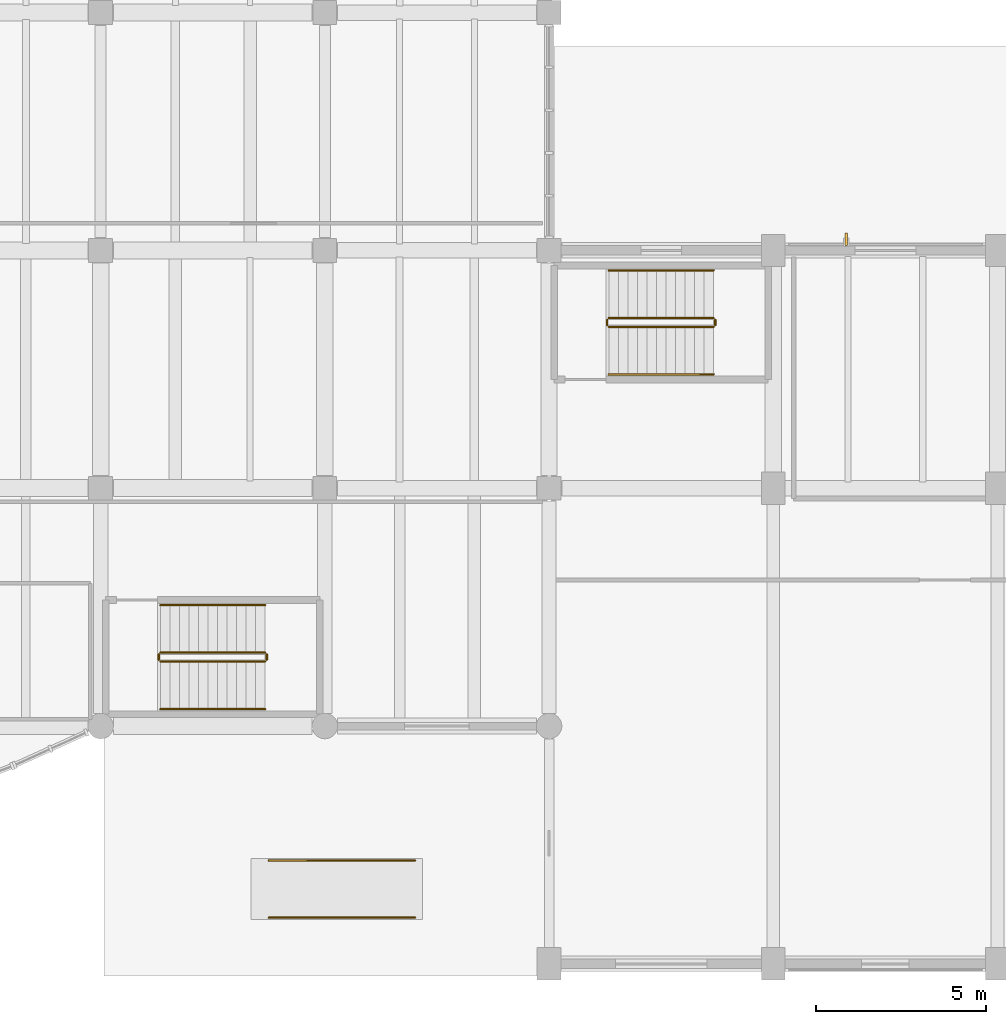
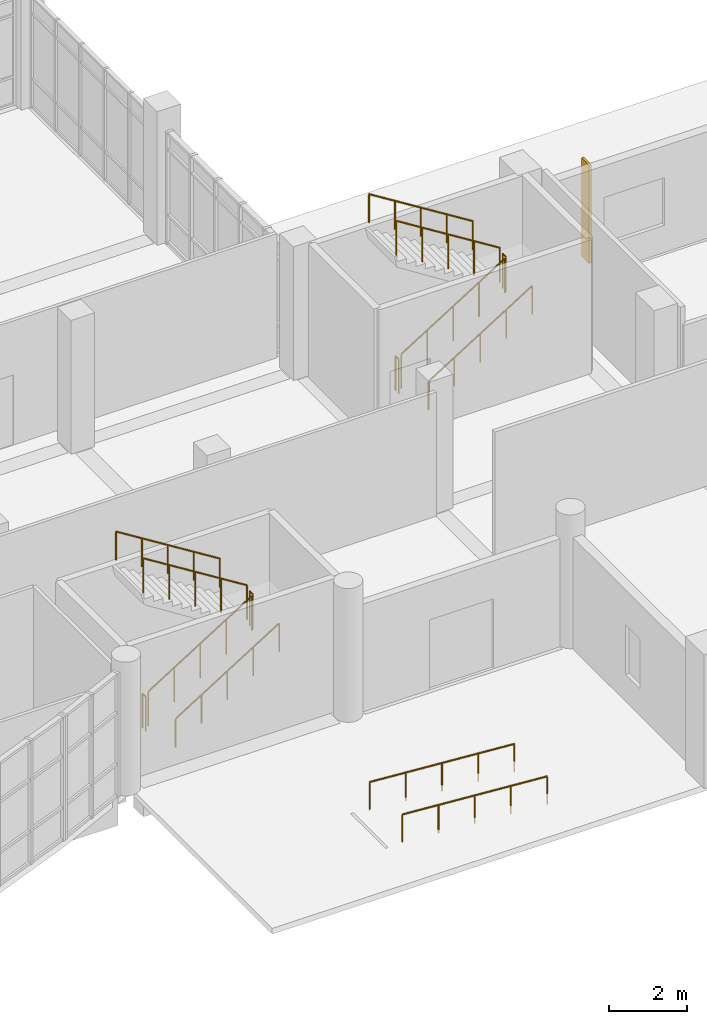
# One storey, part 62 of 69: 14 railings, 1 shading device.
"""IFC4 building model written with IfcOpenShell, lengths in metres."""

from ifc_helpers import new_model, si_unit, direction, frame, origin, origin_2d, place, context, subcontext, project, spatial, rectangle, circle, extrude, material, material_profile, profile_set, type_object, element, save


model = new_model("IFC4")

# Units and contexts
model_context = context("Model", 3, precision=1e-05, world=origin(), true_north=direction((0.0, 1.0)))
body_context = subcontext(model_context, "Body", "Model", "MODEL_VIEW")
ifc_project = project(units=[si_unit("LENGTHUNIT", "METRE"), si_unit("AREAUNIT", "SQUARE_METRE"), si_unit("VOLUMEUNIT", "CUBIC_METRE"), si_unit("PLANEANGLEUNIT", "RADIAN"), si_unit("MASSUNIT", "GRAM", prefix="KILO")], contexts=[model_context])

# Site, building, storey
site_placement = place(None, origin())
site = spatial("IfcSite", under=ifc_project, at=site_placement, CompositionType="ELEMENT")
building_placement = place(site_placement, origin())
building = spatial("IfcBuilding", under=site, at=building_placement, Name="Ciguamira Faculty of Natural Sciences", CompositionType="ELEMENT")
storey_placement = place(building_placement, origin())
storey = spatial("IfcBuildingStorey", under=building, at=storey_placement, Name="L00", CompositionType="ELEMENT", Elevation=0.0)

# Railings
ifc_material_1 = material(Name="Stainless steel balustrade", Category="steel")
railing_type_1 = type_object("IfcRailingType", Name="Guardrail_GR01", PredefinedType="GUARDRAIL", material=ifc_material_1)
railing_1_placement = place(storey_placement, frame((111.860107421875, 11.89990234375, 0.175048828125)))
element("IfcRailing", 1, at=railing_1_placement, inside=storey, type_object=railing_type_1, Name="L00 ST-A2 stair guard 1", PredefinedType="GUARDRAIL", context=body_context, shape_type="SweptSolid", body=[
    extrude(circle(Radius=0.02392578125, at=origin_2d()), frame((0.0, 0.0, 1.076171875), z_axis=(0.847979421464, 0.0, 0.530029150871), x_axis=(0.0, 1.0, 0.0)), (0.0, 0.0, 1.0), 3.632080078125),
    extrude(circle(Radius=0.02099609375, at=origin_2d()), origin(), (0.0, 0.0, 1.0), 1.052001953125),
    extrude(circle(Radius=0.02099609375, at=origin_2d()), frame((0.77001953125, 0.0, 0.481201171875)), (0.0, 0.0, 1.0), 1.052001953125),
    extrude(circle(Radius=0.02099609375, at=origin_2d()), frame((1.5400390625, 0.0, 0.96240234375)), (0.0, 0.0, 1.0), 1.052001953125),
    extrude(circle(Radius=0.02099609375, at=origin_2d()), frame((2.309814453125, 0.0, 1.44384765625)), (0.0, 0.0, 1.0), 1.052001953125),
    extrude(circle(Radius=0.02099609375, at=origin_2d()), frame((3.079833984375, 0.0, 1.925048828125)), (0.0, 0.0, 1.0), 1.052001953125),
])
railing_2_placement = place(storey_placement, frame((114.989990234375, 11.949951171875, 2.10009765625)))
element("IfcRailing", 2, at=railing_2_placement, inside=storey, type_object=railing_type_1, Name="L00 ST-A2 stair guard 2", PredefinedType="GUARDRAIL", context=body_context, shape_type="SweptSolid", body=[
    extrude(circle(Radius=0.02392578125, at=origin_2d()), frame((0.0, 0.0, 1.076171875), z_axis=(0.0, 1.0, 0.0), x_axis=(-1.0, 0.0, 0.0)), (0.0, 0.0, 1.0), 0.16015625),
    extrude(circle(Radius=0.02099609375, at=origin_2d()), origin(), (0.0, 0.0, 1.0), 1.052001953125),
    extrude(circle(Radius=0.02099609375, at=origin_2d()), frame((0.0, 0.16015625, 0.0)), (0.0, 0.0, 1.0), 1.052001953125),
])
railing_3_placement = place(storey_placement, frame((114.93994140625, 12.159912109375, 2.27490234375)))
element("IfcRailing", 3, at=railing_3_placement, inside=storey, type_object=railing_type_1, Name="L00 ST-A2 stair guard 3", PredefinedType="GUARDRAIL", context=body_context, shape_type="SweptSolid", body=[
    extrude(circle(Radius=0.02392578125, at=origin_2d()), frame((0.0, 0.0, 1.076171875), z_axis=(-0.847979421464, 0.0, 0.530029150871), x_axis=(0.0, -1.0, 0.0)), (0.0, 0.0, 1.0), 3.632080078125),
    extrude(circle(Radius=0.02099609375, at=origin_2d()), origin(), (0.0, 0.0, 1.0), 1.052001953125),
    extrude(circle(Radius=0.02099609375, at=origin_2d()), frame((-0.77001953125, 0.0, 0.481201171875)), (0.0, 0.0, 1.0), 1.052001953125),
    extrude(circle(Radius=0.02099609375, at=origin_2d()), frame((-1.5400390625, 0.0, 0.96240234375)), (0.0, 0.0, 1.0), 1.052001953125),
    extrude(circle(Radius=0.02099609375, at=origin_2d()), frame((-2.309814453125, 0.0, 1.44384765625)), (0.0, 0.0, 1.0), 1.052001953125),
    extrude(circle(Radius=0.02099609375, at=origin_2d()), frame((-3.079833984375, 0.0, 1.925048828125)), (0.0, 0.0, 1.0), 1.052001953125),
])
railing_4_placement = place(storey_placement, frame((111.81005859375, 11.949951171875, 0.0)))
element("IfcRailing", 4, at=railing_4_placement, inside=storey, type_object=railing_type_1, Name="L00 ST-A2 stair guard 4", PredefinedType="GUARDRAIL", context=body_context, shape_type="SweptSolid", body=[
    extrude(circle(Radius=0.02392578125, at=origin_2d()), frame((0.0, 0.0, 1.076171875), z_axis=(0.0, 1.0, 0.0), x_axis=(-1.0, 0.0, 0.0)), (0.0, 0.0, 1.0), 0.16015625),
    extrude(circle(Radius=0.02099609375, at=origin_2d()), origin(), (0.0, 0.0, 1.0), 1.052001953125),
    extrude(circle(Radius=0.02099609375, at=origin_2d()), frame((0.0, 0.16015625, 0.0)), (0.0, 0.0, 1.0), 1.052001953125),
])
railing_5_placement = place(storey_placement, frame((125.06005859375, 21.75, 0.175048828125)))
element("IfcRailing", 5, at=railing_5_placement, inside=storey, type_object=railing_type_1, Name="L00 ST-L1 stair guard 1", PredefinedType="GUARDRAIL", context=body_context, shape_type="SweptSolid", body=[
    extrude(circle(Radius=0.02392578125, at=origin_2d()), frame((0.0, 0.0, 1.076171875), z_axis=(0.847979421464, 0.0, 0.530029150871), x_axis=(0.0, 1.0, 0.0)), (0.0, 0.0, 1.0), 3.632080078125),
    extrude(circle(Radius=0.02099609375, at=origin_2d()), origin(), (0.0, 0.0, 1.0), 1.052001953125),
    extrude(circle(Radius=0.02099609375, at=origin_2d()), frame((0.77001953125, 0.0, 0.481201171875)), (0.0, 0.0, 1.0), 1.052001953125),
    extrude(circle(Radius=0.02099609375, at=origin_2d()), frame((1.5400390625, 0.0, 0.96240234375)), (0.0, 0.0, 1.0), 1.052001953125),
    extrude(circle(Radius=0.02099609375, at=origin_2d()), frame((2.309814453125, 0.0, 1.44384765625)), (0.0, 0.0, 1.0), 1.052001953125),
    extrude(circle(Radius=0.02099609375, at=origin_2d()), frame((3.079833984375, 0.0, 1.925048828125)), (0.0, 0.0, 1.0), 1.052001953125),
])
railing_6_placement = place(storey_placement, frame((128.18994140625, 21.800048828125, 2.10009765625)))
element("IfcRailing", 6, at=railing_6_placement, inside=storey, type_object=railing_type_1, Name="L00 ST-L1 stair guard 2", PredefinedType="GUARDRAIL", context=body_context, shape_type="SweptSolid", body=[
    extrude(circle(Radius=0.02392578125, at=origin_2d()), frame((0.0, 0.0, 1.076171875), z_axis=(0.0, 1.0, 0.0), x_axis=(-1.0, 0.0, 0.0)), (0.0, 0.0, 1.0), 0.159912109375),
    extrude(circle(Radius=0.02099609375, at=origin_2d()), origin(), (0.0, 0.0, 1.0), 1.052001953125),
    extrude(circle(Radius=0.02099609375, at=origin_2d()), frame((0.0, 0.159912109375, 0.0)), (0.0, 0.0, 1.0), 1.052001953125),
])
railing_7_placement = place(storey_placement, frame((128.139892578125, 22.010009765625, 2.27490234375)))
element("IfcRailing", 7, at=railing_7_placement, inside=storey, type_object=railing_type_1, Name="L00 ST-L1 stair guard 3", PredefinedType="GUARDRAIL", context=body_context, shape_type="SweptSolid", body=[
    extrude(circle(Radius=0.02392578125, at=origin_2d()), frame((0.0, 0.0, 1.076171875), z_axis=(-0.847979421464, 0.0, 0.530029150871), x_axis=(0.0, -1.0, 0.0)), (0.0, 0.0, 1.0), 3.632080078125),
    extrude(circle(Radius=0.02099609375, at=origin_2d()), origin(), (0.0, 0.0, 1.0), 1.052001953125),
    extrude(circle(Radius=0.02099609375, at=origin_2d()), frame((-0.77001953125, 0.0, 0.481201171875)), (0.0, 0.0, 1.0), 1.052001953125),
    extrude(circle(Radius=0.02099609375, at=origin_2d()), frame((-1.5400390625, 0.0, 0.96240234375)), (0.0, 0.0, 1.0), 1.052001953125),
    extrude(circle(Radius=0.02099609375, at=origin_2d()), frame((-2.309814453125, 0.0, 1.44384765625)), (0.0, 0.0, 1.0), 1.052001953125),
    extrude(circle(Radius=0.02099609375, at=origin_2d()), frame((-3.079833984375, 0.0, 1.925048828125)), (0.0, 0.0, 1.0), 1.052001953125),
])
railing_8_placement = place(storey_placement, frame((125.010009765625, 21.800048828125, 0.0)))
element("IfcRailing", 8, at=railing_8_placement, inside=storey, type_object=railing_type_1, Name="L00 ST-L1 stair guard 4", PredefinedType="GUARDRAIL", context=body_context, shape_type="SweptSolid", body=[
    extrude(circle(Radius=0.02392578125, at=origin_2d()), frame((0.0, 0.0, 1.076171875), z_axis=(0.0, 1.0, 0.0), x_axis=(-1.0, 0.0, 0.0)), (0.0, 0.0, 1.0), 0.159912109375),
    extrude(circle(Radius=0.02099609375, at=origin_2d()), origin(), (0.0, 0.0, 1.0), 1.052001953125),
    extrude(circle(Radius=0.02099609375, at=origin_2d()), frame((0.0, 0.159912109375, 0.0)), (0.0, 0.0, 1.0), 1.052001953125),
])
ifc_material_2 = material(Name="Stainless steel handrail", Category="steel")
railing_type_2 = type_object("IfcRailingType", Name="Handrail_HR01", PredefinedType="HANDRAIL", material=ifc_material_2)
for number, where, name in (
    (9, (119.35009765625, 6.0400390625, -0.340087890625), "South Forecourt Accessible Ramp East handrail 1"),
    (10, (119.35009765625, 4.360107421875, -0.340087890625), "South Forecourt Accessible Ramp East handrail 2"),
):
    element("IfcRailing", number, at=place(storey_placement, frame(where)), inside=storey, type_object=railing_type_2, Name=name, PredefinedType="HANDRAIL", context=body_context, shape_type="SweptSolid", body=[
        extrude(circle(Radius=0.02392578125, at=origin_2d()), frame((0.0, 0.0, 0.8759765625), z_axis=(-0.997442864568, 0.0, 0.071468398063), x_axis=(0.0, -1.0, 0.0)), (0.0, 0.0, 1.0), 4.31103515625),
        extrude(circle(Radius=0.02099609375, at=origin_2d()), origin(), (0.0, 0.0, 1.0), 0.851806640625),
        extrude(circle(Radius=0.02099609375, at=origin_2d()), frame((-1.074951171875, 0.0, 0.0771484375)), (0.0, 0.0, 1.0), 0.851806640625),
        extrude(circle(Radius=0.02099609375, at=origin_2d()), frame((-2.14990234375, 0.0, 0.154052734375)), (0.0, 0.0, 1.0), 0.851806640625),
        extrude(circle(Radius=0.02099609375, at=origin_2d()), frame((-3.22509765625, 0.0, 0.23095703125)), (0.0, 0.0, 1.0), 0.851806640625),
        extrude(circle(Radius=0.02099609375, at=origin_2d()), frame((-4.300048828125, 0.0, 0.30810546875)), (0.0, 0.0, 1.0), 0.851806640625),
    ])
railing_9_placement = place(storey_placement, frame((111.860107421875, 10.5, 0.35009765625)))
element("IfcRailing", 11, at=railing_9_placement, inside=storey, type_object=railing_type_2, Name="L00 ST-A2 stair handrail 1", PredefinedType="HANDRAIL", context=body_context, shape_type="SweptSolid", body=[
    extrude(circle(Radius=0.02392578125, at=origin_2d()), frame((0.0, 0.0, 0.89111328125), z_axis=(0.848009633417, 0.0, 0.529980812513), x_axis=(0.0, 1.0, 0.0)), (0.0, 0.0, 1.0), 3.6318359375),
    extrude(circle(Radius=0.02099609375, at=origin_2d()), origin(), (0.0, 0.0, 1.0), 0.866943359375),
    extrude(circle(Radius=0.02099609375, at=origin_2d()), frame((0.77001953125, 0.0, 0.481201171875)), (0.0, 0.0, 1.0), 0.866943359375),
    extrude(circle(Radius=0.02099609375, at=origin_2d()), frame((1.5400390625, 0.0, 0.96240234375)), (0.0, 0.0, 1.0), 0.866943359375),
    extrude(circle(Radius=0.02099609375, at=origin_2d()), frame((2.309814453125, 0.0, 1.443603515625)), (0.0, 0.0, 1.0), 0.866943359375),
    extrude(circle(Radius=0.02099609375, at=origin_2d()), frame((3.079833984375, 0.0, 1.9248046875)), (0.0, 0.0, 1.0), 0.866943359375),
])
railing_10_placement = place(storey_placement, frame((114.93994140625, 13.56005859375, 2.449951171875)))
element("IfcRailing", 12, at=railing_10_placement, inside=storey, type_object=railing_type_2, Name="L00 ST-A2 stair handrail 2", PredefinedType="HANDRAIL", context=body_context, shape_type="SweptSolid", body=[
    extrude(circle(Radius=0.02392578125, at=origin_2d()), frame((0.0, 0.0, 0.89111328125), z_axis=(-0.847979421464, 0.0, 0.530029150871), x_axis=(0.0, -1.0, 0.0)), (0.0, 0.0, 1.0), 3.632080078125),
    extrude(circle(Radius=0.02099609375, at=origin_2d()), origin(), (0.0, 0.0, 1.0), 0.866943359375),
    extrude(circle(Radius=0.02099609375, at=origin_2d()), frame((-0.77001953125, 0.0, 0.481201171875)), (0.0, 0.0, 1.0), 0.866943359375),
    extrude(circle(Radius=0.02099609375, at=origin_2d()), frame((-1.5400390625, 0.0, 0.96240234375)), (0.0, 0.0, 1.0), 0.866943359375),
    extrude(circle(Radius=0.02099609375, at=origin_2d()), frame((-2.309814453125, 0.0, 1.44384765625)), (0.0, 0.0, 1.0), 0.866943359375),
    extrude(circle(Radius=0.02099609375, at=origin_2d()), frame((-3.079833984375, 0.0, 1.925048828125)), (0.0, 0.0, 1.0), 0.866943359375),
])
railing_11_placement = place(storey_placement, frame((125.06005859375, 20.35009765625, 0.35009765625)))
element("IfcRailing", 13, at=railing_11_placement, inside=storey, type_object=railing_type_2, Name="L00 ST-L1 stair handrail 1", PredefinedType="HANDRAIL", context=body_context, shape_type="SweptSolid", body=[
    extrude(circle(Radius=0.02392578125, at=origin_2d()), frame((0.0, 0.0, 0.89111328125), z_axis=(0.848009633417, 0.0, 0.529980812513), x_axis=(0.0, 1.0, 0.0)), (0.0, 0.0, 1.0), 3.6318359375),
    extrude(circle(Radius=0.02099609375, at=origin_2d()), origin(), (0.0, 0.0, 1.0), 0.866943359375),
    extrude(circle(Radius=0.02099609375, at=origin_2d()), frame((0.77001953125, 0.0, 0.481201171875)), (0.0, 0.0, 1.0), 0.866943359375),
    extrude(circle(Radius=0.02099609375, at=origin_2d()), frame((1.5400390625, 0.0, 0.96240234375)), (0.0, 0.0, 1.0), 0.866943359375),
    extrude(circle(Radius=0.02099609375, at=origin_2d()), frame((2.309814453125, 0.0, 1.443603515625)), (0.0, 0.0, 1.0), 0.866943359375),
    extrude(circle(Radius=0.02099609375, at=origin_2d()), frame((3.079833984375, 0.0, 1.9248046875)), (0.0, 0.0, 1.0), 0.866943359375),
])
railing_12_placement = place(storey_placement, frame((128.139892578125, 23.409912109375, 2.449951171875)))
element("IfcRailing", 14, at=railing_12_placement, inside=storey, type_object=railing_type_2, Name="L00 ST-L1 stair handrail 2", PredefinedType="HANDRAIL", context=body_context, shape_type="SweptSolid", body=[
    extrude(circle(Radius=0.02392578125, at=origin_2d()), frame((0.0, 0.0, 0.89111328125), z_axis=(-0.847979421464, 0.0, 0.530029150871), x_axis=(0.0, -1.0, 0.0)), (0.0, 0.0, 1.0), 3.632080078125),
    extrude(circle(Radius=0.02099609375, at=origin_2d()), origin(), (0.0, 0.0, 1.0), 0.866943359375),
    extrude(circle(Radius=0.02099609375, at=origin_2d()), frame((-0.77001953125, 0.0, 0.481201171875)), (0.0, 0.0, 1.0), 0.866943359375),
    extrude(circle(Radius=0.02099609375, at=origin_2d()), frame((-1.5400390625, 0.0, 0.96240234375)), (0.0, 0.0, 1.0), 0.866943359375),
    extrude(circle(Radius=0.02099609375, at=origin_2d()), frame((-2.309814453125, 0.0, 1.44384765625)), (0.0, 0.0, 1.0), 0.866943359375),
    extrude(circle(Radius=0.02099609375, at=origin_2d()), frame((-3.079833984375, 0.0, 1.925048828125)), (0.0, 0.0, 1.0), 0.866943359375),
])

# Shading device
ifc_material_3 = material(Name="Anodized bronze sunshade fin")
ifc_material_profile = material_profile(ifc_material_3, rectangle(XDim=0.06494140625, YDim=0.3798828125, at=origin_2d()), Name="BRZ-FIN-65X380")
ifc_profile_set = profile_set([ifc_material_profile], Name="Anodized bronze sunshade fin")
shading_device_type = type_object("IfcShadingDeviceType", Name="SunFin_SF01", PredefinedType="USERDEFINED", material=ifc_profile_set)
shading_device_placement = place(storey_placement, frame((132.050048828125, 24.330078125, 0.199951171875), z_axis=(0.0, 0.0, 1.0), x_axis=(1.0, 0.0, 0.0)))
element("IfcShadingDevice", 15, at=shading_device_placement, inside=storey, type_object=shading_device_type, Name="L00 bronze vertical sunshade fin 0003", ObjectType="SUNSHADE FIN", PredefinedType="USERDEFINED", context=body_context, shape_type="SweptSolid", body=[
    extrude(rectangle(XDim=0.06494140625, YDim=0.3798828125, at=origin_2d()), origin(), (0.0, 0.0, 1.0), 3.094970703125),
])

save(model, "model.ifc")
